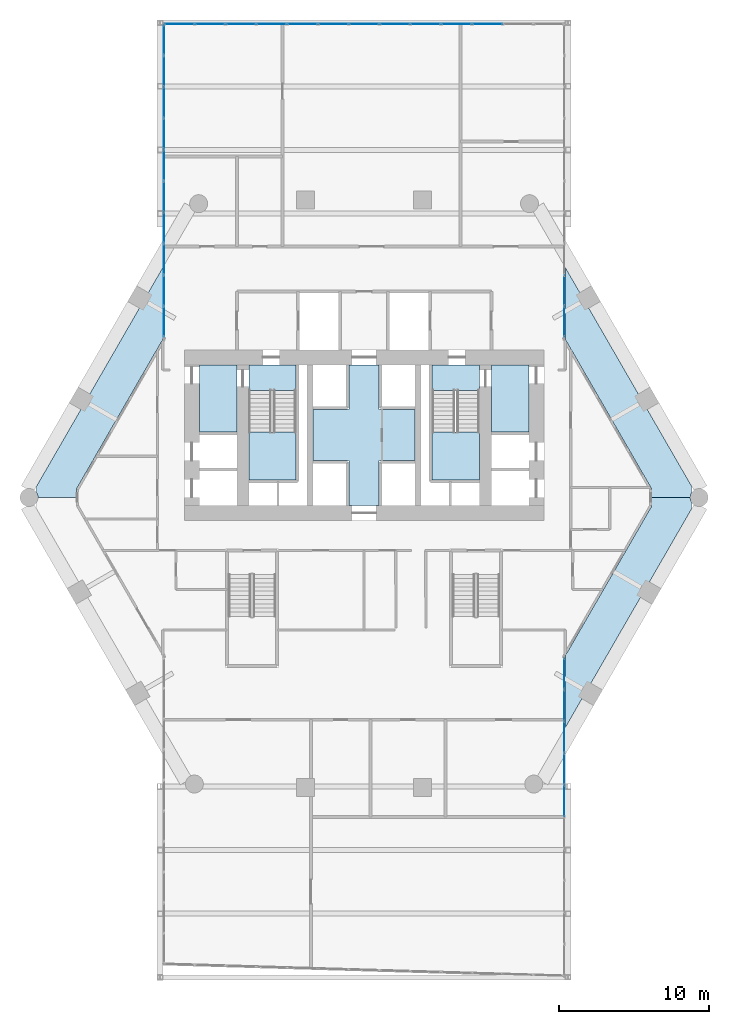
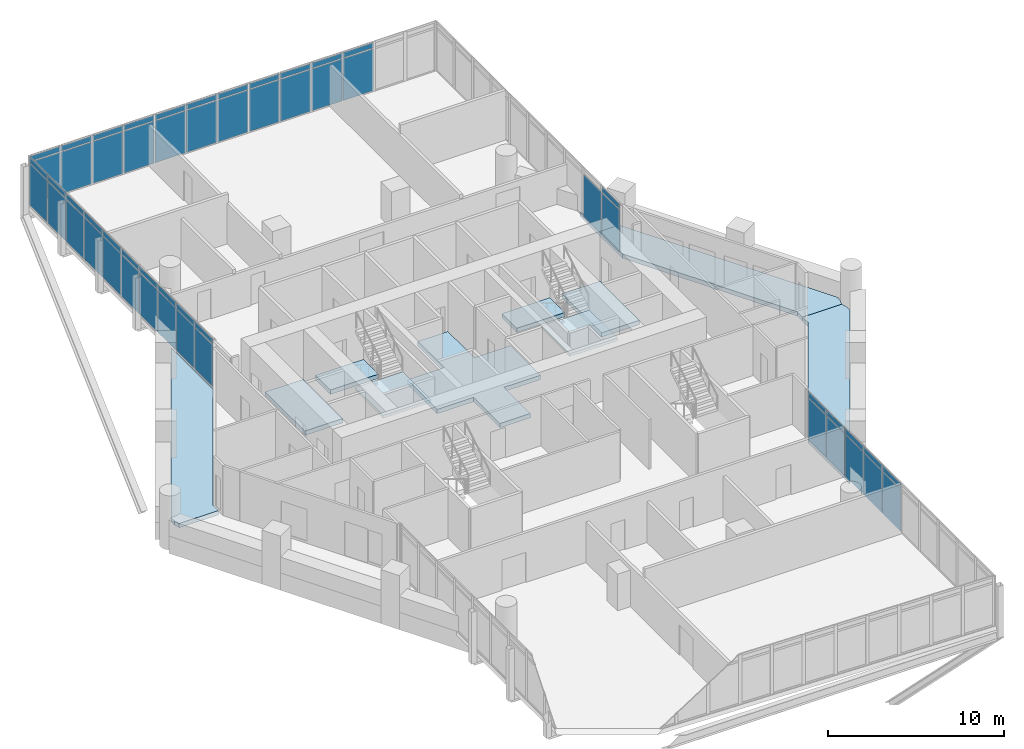
# One storey, part 28 of 37: 55 plates, 10 slabs, 6 elements without a shape of their own.
"""IFC4 building model written with IfcOpenShell, lengths in metres."""

from ifc_helpers import new_model, si_unit, direction, frame, origin, origin_2d, place, context, subcontext, project, spatial, polyline, rectangle, outline, extrude, material, layer, layer_set, type_object, element, aggregate, save


model = new_model("IFC4")

# Units and contexts
model_context = context("Model", 3, precision=1e-05, world=origin(), true_north=direction((0.0, 1.0)))
body_context = subcontext(model_context, "Body", "Model", "MODEL_VIEW")
ifc_project = project(units=[si_unit("LENGTHUNIT", "METRE"), si_unit("AREAUNIT", "SQUARE_METRE"), si_unit("VOLUMEUNIT", "CUBIC_METRE"), si_unit("PLANEANGLEUNIT", "RADIAN"), si_unit("MASSUNIT", "GRAM", prefix="KILO")], contexts=[model_context])

# Site, building, storey
site_placement = place(None, origin())
site = spatial("IfcSite", under=ifc_project, at=site_placement, CompositionType="ELEMENT")
building_placement = place(site_placement, origin())
building = spatial("IfcBuilding", under=site, at=building_placement, Name="Ostrander Bayou Hotel Tower", CompositionType="ELEMENT")
storey_placement = place(building_placement, frame((0.0, 0.0, 93.0)))
storey = spatial("IfcBuildingStorey", under=building, at=storey_placement, Name="L23", CompositionType="ELEMENT", Elevation=93.0)

# Curtain wall, plates
ifc_material_1 = material(Name="Aluminium and clear glass", Category="aluminium")
curtain_wall_type = type_object("IfcCurtainWallType", Name="CW-BAR glazed wall", PredefinedType="NOTDEFINED", material=ifc_material_1)
curtain_wall_1_placement = place(storey_placement, origin())
curtain_wall_1 = element("IfcCurtainWall", 1, at=curtain_wall_1_placement, inside=storey, type_object=curtain_wall_type, Name="CW-BAR L23:SB2S:W", PredefinedType="NOTDEFINED")
ifc_material_2 = material(Name="Clear laminated glass", Category="glass")
ifc_layer_1 = layer(ifc_material_2, 0.028076171875)
ifc_layer_set_1 = layer_set([ifc_layer_1], Name="CW-BR glazing panel 28 mm")
plate_type = type_object("IfcPlateType", Name="CW-BR glazing panel 28 mm", PredefinedType="CURTAIN_PANEL", material=ifc_layer_set_1)
plate_1_placement = place(storey_placement, frame((13.3671875, -11.9248046875, 0.06005859375), z_axis=(0.0, 0.0, 1.0), x_axis=(0.0, -1.0, 0.0)))
plate_1 = element("IfcPlate", 2, at=plate_1_placement, type_object=plate_type, Name="CW-BAR panel 1.1", PredefinedType="CURTAIN_PANEL", context=body_context, shape_type="SweptSolid", body=[
    extrude(rectangle(XDim=2.03515625, YDim=0.028076171875, at=origin_2d()), origin(), (0.0, 0.0, 1.0), 2.909912109375),
])
plate_2_placement = place(storey_placement, frame((13.3671875, -11.9248046875, 3.02978515625), z_axis=(0.0, 0.0, 1.0), x_axis=(0.0, -1.0, 0.0)))
plate_2 = element("IfcPlate", 3, at=plate_2_placement, type_object=plate_type, Name="CW-BAR panel 1.2", PredefinedType="CURTAIN_PANEL", context=body_context, shape_type="SweptSolid", body=[
    extrude(rectangle(XDim=2.03515625, YDim=0.028076171875, at=origin_2d()), origin(), (0.0, 0.0, 1.0), 0.360107421875),
])
plate_3_placement = place(storey_placement, frame((13.3671875, -14.034912109375, 0.06005859375), z_axis=(0.0, 0.0, 1.0), x_axis=(0.0, -1.0, 0.0)))
plate_3 = element("IfcPlate", 4, at=plate_3_placement, type_object=plate_type, Name="CW-BAR panel 2.1", PredefinedType="CURTAIN_PANEL", context=body_context, shape_type="SweptSolid", body=[
    extrude(rectangle(XDim=2.06494140625, YDim=0.028076171875, at=origin_2d()), origin(), (0.0, 0.0, 1.0), 2.909912109375),
])
plate_4_placement = place(storey_placement, frame((13.3671875, -14.034912109375, 3.02978515625), z_axis=(0.0, 0.0, 1.0), x_axis=(0.0, -1.0, 0.0)))
plate_4 = element("IfcPlate", 5, at=plate_4_placement, type_object=plate_type, Name="CW-BAR panel 2.2", PredefinedType="CURTAIN_PANEL", context=body_context, shape_type="SweptSolid", body=[
    extrude(rectangle(XDim=2.06494140625, YDim=0.028076171875, at=origin_2d()), origin(), (0.0, 0.0, 1.0), 0.360107421875),
])
plate_5_placement = place(storey_placement, frame((13.3671875, -16.159912109375, 0.06005859375), z_axis=(0.0, 0.0, 1.0), x_axis=(0.0, -1.0, 0.0)))
plate_5 = element("IfcPlate", 6, at=plate_5_placement, type_object=plate_type, Name="CW-BAR panel 3.1", PredefinedType="CURTAIN_PANEL", context=body_context, shape_type="SweptSolid", body=[
    extrude(rectangle(XDim=2.06494140625, YDim=0.028076171875, at=origin_2d()), origin(), (0.0, 0.0, 1.0), 2.909912109375),
])
plate_6_placement = place(storey_placement, frame((13.3671875, -16.159912109375, 3.02978515625), z_axis=(0.0, 0.0, 1.0), x_axis=(0.0, -1.0, 0.0)))
plate_6 = element("IfcPlate", 7, at=plate_6_placement, type_object=plate_type, Name="CW-BAR panel 3.2", PredefinedType="CURTAIN_PANEL", context=body_context, shape_type="SweptSolid", body=[
    extrude(rectangle(XDim=2.06494140625, YDim=0.028076171875, at=origin_2d()), origin(), (0.0, 0.0, 1.0), 0.360107421875),
])
plate_7_placement = place(storey_placement, frame((13.3671875, -18.284912109375, 0.06005859375), z_axis=(0.0, 0.0, 1.0), x_axis=(0.0, -1.0, 0.0)))
plate_7 = element("IfcPlate", 8, at=plate_7_placement, type_object=plate_type, Name="CW-BAR panel 4.1", PredefinedType="CURTAIN_PANEL", context=body_context, shape_type="SweptSolid", body=[
    extrude(rectangle(XDim=2.06494140625, YDim=0.028076171875, at=origin_2d()), origin(), (0.0, 0.0, 1.0), 2.909912109375),
])
plate_8_placement = place(storey_placement, frame((13.3671875, -18.284912109375, 3.02978515625), z_axis=(0.0, 0.0, 1.0), x_axis=(0.0, -1.0, 0.0)))
plate_8 = element("IfcPlate", 9, at=plate_8_placement, type_object=plate_type, Name="CW-BAR panel 4.2", PredefinedType="CURTAIN_PANEL", context=body_context, shape_type="SweptSolid", body=[
    extrude(rectangle(XDim=2.06494140625, YDim=0.028076171875, at=origin_2d()), origin(), (0.0, 0.0, 1.0), 0.360107421875),
])
plate_9_placement = place(storey_placement, frame((13.3671875, -20.409912109375, 0.06005859375), z_axis=(0.0, 0.0, 1.0), x_axis=(0.0, -1.0, 0.0)))
plate_9 = element("IfcPlate", 10, at=plate_9_placement, type_object=plate_type, Name="CW-BAR panel 5.1", PredefinedType="CURTAIN_PANEL", context=body_context, shape_type="SweptSolid", body=[
    extrude(rectangle(XDim=2.06494140625, YDim=0.028076171875, at=origin_2d()), origin(), (0.0, 0.0, 1.0), 2.909912109375),
])
plate_10_placement = place(storey_placement, frame((13.3671875, -20.409912109375, 3.02978515625), z_axis=(0.0, 0.0, 1.0), x_axis=(0.0, -1.0, 0.0)))
plate_10 = element("IfcPlate", 11, at=plate_10_placement, type_object=plate_type, Name="CW-BAR panel 5.2", PredefinedType="CURTAIN_PANEL", context=body_context, shape_type="SweptSolid", body=[
    extrude(rectangle(XDim=2.06494140625, YDim=0.028076171875, at=origin_2d()), origin(), (0.0, 0.0, 1.0), 0.360107421875),
])
aggregate(curtain_wall_1, [plate_1, plate_2, plate_3, plate_4, plate_5, plate_6, plate_7, plate_8, plate_9, plate_10])

curtain_wall_2_placement = place(storey_placement, origin())
curtain_wall_2 = element("IfcCurtainWall", 12, at=curtain_wall_2_placement, inside=storey, type_object=curtain_wall_type, Name="CW-BAR L23:SB2N:E", PredefinedType="NOTDEFINED")
plate_11_placement = place(storey_placement, frame((-13.3671875, 11.581298828125, 0.06005859375), z_axis=(0.0, 0.0, 1.0), x_axis=(0.0, 1.0, 0.0)))
plate_11 = element("IfcPlate", 13, at=plate_11_placement, type_object=plate_type, Name="CW-BAR panel 1.1", PredefinedType="CURTAIN_PANEL", context=body_context, shape_type="SweptSolid", body=[
    extrude(rectangle(XDim=2.00244140625, YDim=0.028076171875, at=origin_2d()), origin(), (0.0, 0.0, 1.0), 2.909912109375),
])
plate_12_placement = place(storey_placement, frame((-13.3671875, 11.581298828125, 3.02978515625), z_axis=(0.0, 0.0, 1.0), x_axis=(0.0, 1.0, 0.0)))
plate_12 = element("IfcPlate", 14, at=plate_12_placement, type_object=plate_type, Name="CW-BAR panel 1.2", PredefinedType="CURTAIN_PANEL", context=body_context, shape_type="SweptSolid", body=[
    extrude(rectangle(XDim=2.00244140625, YDim=0.028076171875, at=origin_2d()), origin(), (0.0, 0.0, 1.0), 0.360107421875),
])
plate_13_placement = place(storey_placement, frame((-13.3671875, 13.65869140625, 0.06005859375), z_axis=(0.0, 0.0, 1.0), x_axis=(0.0, 1.0, 0.0)))
plate_13 = element("IfcPlate", 15, at=plate_13_placement, type_object=plate_type, Name="CW-BAR panel 2.1", PredefinedType="CURTAIN_PANEL", context=body_context, shape_type="SweptSolid", body=[
    extrude(rectangle(XDim=2.032470703125, YDim=0.028076171875, at=origin_2d()), origin(), (0.0, 0.0, 1.0), 2.909912109375),
])
plate_14_placement = place(storey_placement, frame((-13.3671875, 13.65869140625, 3.02978515625), z_axis=(0.0, 0.0, 1.0), x_axis=(0.0, 1.0, 0.0)))
plate_14 = element("IfcPlate", 16, at=plate_14_placement, type_object=plate_type, Name="CW-BAR panel 2.2", PredefinedType="CURTAIN_PANEL", context=body_context, shape_type="SweptSolid", body=[
    extrude(rectangle(XDim=2.032470703125, YDim=0.028076171875, at=origin_2d()), origin(), (0.0, 0.0, 1.0), 0.360107421875),
])
plate_15_placement = place(storey_placement, frame((-13.3671875, 15.75146484375, 0.06005859375), z_axis=(0.0, 0.0, 1.0), x_axis=(0.0, 1.0, 0.0)))
plate_15 = element("IfcPlate", 17, at=plate_15_placement, type_object=plate_type, Name="CW-BAR panel 3.1", PredefinedType="CURTAIN_PANEL", context=body_context, shape_type="SweptSolid", body=[
    extrude(rectangle(XDim=2.032470703125, YDim=0.028076171875, at=origin_2d()), origin(), (0.0, 0.0, 1.0), 2.909912109375),
])
plate_16_placement = place(storey_placement, frame((-13.3671875, 15.75146484375, 3.02978515625), z_axis=(0.0, 0.0, 1.0), x_axis=(0.0, 1.0, 0.0)))
plate_16 = element("IfcPlate", 18, at=plate_16_placement, type_object=plate_type, Name="CW-BAR panel 3.2", PredefinedType="CURTAIN_PANEL", context=body_context, shape_type="SweptSolid", body=[
    extrude(rectangle(XDim=2.032470703125, YDim=0.028076171875, at=origin_2d()), origin(), (0.0, 0.0, 1.0), 0.360107421875),
])
plate_17_placement = place(storey_placement, frame((-13.3671875, 17.843994140625, 0.06005859375), z_axis=(0.0, 0.0, 1.0), x_axis=(0.0, 1.0, 0.0)))
plate_17 = element("IfcPlate", 19, at=plate_17_placement, type_object=plate_type, Name="CW-BAR panel 4.1", PredefinedType="CURTAIN_PANEL", context=body_context, shape_type="SweptSolid", body=[
    extrude(rectangle(XDim=2.032470703125, YDim=0.028076171875, at=origin_2d()), origin(), (0.0, 0.0, 1.0), 2.909912109375),
])
plate_18_placement = place(storey_placement, frame((-13.3671875, 17.843994140625, 3.02978515625), z_axis=(0.0, 0.0, 1.0), x_axis=(0.0, 1.0, 0.0)))
plate_18 = element("IfcPlate", 20, at=plate_18_placement, type_object=plate_type, Name="CW-BAR panel 4.2", PredefinedType="CURTAIN_PANEL", context=body_context, shape_type="SweptSolid", body=[
    extrude(rectangle(XDim=2.032470703125, YDim=0.028076171875, at=origin_2d()), origin(), (0.0, 0.0, 1.0), 0.360107421875),
])
plate_19_placement = place(storey_placement, frame((-13.3671875, 19.9365234375, 0.06005859375), z_axis=(0.0, 0.0, 1.0), x_axis=(0.0, 1.0, 0.0)))
plate_19 = element("IfcPlate", 21, at=plate_19_placement, type_object=plate_type, Name="CW-BAR panel 5.1", PredefinedType="CURTAIN_PANEL", context=body_context, shape_type="SweptSolid", body=[
    extrude(rectangle(XDim=2.032470703125, YDim=0.028076171875, at=origin_2d()), origin(), (0.0, 0.0, 1.0), 2.909912109375),
])
plate_20_placement = place(storey_placement, frame((-13.3671875, 19.9365234375, 3.02978515625), z_axis=(0.0, 0.0, 1.0), x_axis=(0.0, 1.0, 0.0)))
plate_20 = element("IfcPlate", 22, at=plate_20_placement, type_object=plate_type, Name="CW-BAR panel 5.2", PredefinedType="CURTAIN_PANEL", context=body_context, shape_type="SweptSolid", body=[
    extrude(rectangle(XDim=2.032470703125, YDim=0.028076171875, at=origin_2d()), origin(), (0.0, 0.0, 1.0), 0.360107421875),
])
plate_21_placement = place(storey_placement, frame((-13.3671875, 22.029052734375, 0.06005859375), z_axis=(0.0, 0.0, 1.0), x_axis=(0.0, 1.0, 0.0)))
plate_21 = element("IfcPlate", 23, at=plate_21_placement, type_object=plate_type, Name="CW-BAR panel 6.1", PredefinedType="CURTAIN_PANEL", context=body_context, shape_type="SweptSolid", body=[
    extrude(rectangle(XDim=2.032470703125, YDim=0.028076171875, at=origin_2d()), origin(), (0.0, 0.0, 1.0), 2.909912109375),
])
plate_22_placement = place(storey_placement, frame((-13.3671875, 22.029052734375, 3.02978515625), z_axis=(0.0, 0.0, 1.0), x_axis=(0.0, 1.0, 0.0)))
plate_22 = element("IfcPlate", 24, at=plate_22_placement, type_object=plate_type, Name="CW-BAR panel 6.2", PredefinedType="CURTAIN_PANEL", context=body_context, shape_type="SweptSolid", body=[
    extrude(rectangle(XDim=2.032470703125, YDim=0.028076171875, at=origin_2d()), origin(), (0.0, 0.0, 1.0), 0.360107421875),
])
plate_23_placement = place(storey_placement, frame((-13.3671875, 24.12158203125, 0.06005859375), z_axis=(0.0, 0.0, 1.0), x_axis=(0.0, 1.0, 0.0)))
plate_23 = element("IfcPlate", 25, at=plate_23_placement, type_object=plate_type, Name="CW-BAR panel 7.1", PredefinedType="CURTAIN_PANEL", context=body_context, shape_type="SweptSolid", body=[
    extrude(rectangle(XDim=2.032470703125, YDim=0.028076171875, at=origin_2d()), origin(), (0.0, 0.0, 1.0), 2.909912109375),
])
plate_24_placement = place(storey_placement, frame((-13.3671875, 24.12158203125, 3.02978515625), z_axis=(0.0, 0.0, 1.0), x_axis=(0.0, 1.0, 0.0)))
plate_24 = element("IfcPlate", 26, at=plate_24_placement, type_object=plate_type, Name="CW-BAR panel 7.2", PredefinedType="CURTAIN_PANEL", context=body_context, shape_type="SweptSolid", body=[
    extrude(rectangle(XDim=2.032470703125, YDim=0.028076171875, at=origin_2d()), origin(), (0.0, 0.0, 1.0), 0.360107421875),
])
plate_25_placement = place(storey_placement, frame((-13.3671875, 26.214111328125, 0.06005859375), z_axis=(0.0, 0.0, 1.0), x_axis=(0.0, 1.0, 0.0)))
plate_25 = element("IfcPlate", 27, at=plate_25_placement, type_object=plate_type, Name="CW-BAR panel 8.1", PredefinedType="CURTAIN_PANEL", context=body_context, shape_type="SweptSolid", body=[
    extrude(rectangle(XDim=2.032470703125, YDim=0.028076171875, at=origin_2d()), origin(), (0.0, 0.0, 1.0), 2.909912109375),
])
plate_26_placement = place(storey_placement, frame((-13.3671875, 26.214111328125, 3.02978515625), z_axis=(0.0, 0.0, 1.0), x_axis=(0.0, 1.0, 0.0)))
plate_26 = element("IfcPlate", 28, at=plate_26_placement, type_object=plate_type, Name="CW-BAR panel 8.2", PredefinedType="CURTAIN_PANEL", context=body_context, shape_type="SweptSolid", body=[
    extrude(rectangle(XDim=2.032470703125, YDim=0.028076171875, at=origin_2d()), origin(), (0.0, 0.0, 1.0), 0.360107421875),
])
plate_27_placement = place(storey_placement, frame((-13.3671875, 28.306640625, 0.06005859375), z_axis=(0.0, 0.0, 1.0), x_axis=(0.0, 1.0, 0.0)))
plate_27 = element("IfcPlate", 29, at=plate_27_placement, type_object=plate_type, Name="CW-BAR panel 9.1", PredefinedType="CURTAIN_PANEL", context=body_context, shape_type="SweptSolid", body=[
    extrude(rectangle(XDim=2.032470703125, YDim=0.028076171875, at=origin_2d()), origin(), (0.0, 0.0, 1.0), 2.909912109375),
])
plate_28_placement = place(storey_placement, frame((-13.3671875, 28.306640625, 3.02978515625), z_axis=(0.0, 0.0, 1.0), x_axis=(0.0, 1.0, 0.0)))
plate_28 = element("IfcPlate", 30, at=plate_28_placement, type_object=plate_type, Name="CW-BAR panel 9.2", PredefinedType="CURTAIN_PANEL", context=body_context, shape_type="SweptSolid", body=[
    extrude(rectangle(XDim=2.032470703125, YDim=0.028076171875, at=origin_2d()), origin(), (0.0, 0.0, 1.0), 0.360107421875),
])
plate_29_placement = place(storey_placement, frame((-13.3671875, 30.384033203125, 0.06005859375), z_axis=(0.0, 0.0, 1.0), x_axis=(0.0, 1.0, 0.0)))
plate_29 = element("IfcPlate", 31, at=plate_29_placement, type_object=plate_type, Name="CW-BAR panel 10.1", PredefinedType="CURTAIN_PANEL", context=body_context, shape_type="SweptSolid", body=[
    extrude(rectangle(XDim=2.00244140625, YDim=0.028076171875, at=origin_2d()), origin(), (0.0, 0.0, 1.0), 2.909912109375),
])
plate_30_placement = place(storey_placement, frame((-13.3671875, 30.384033203125, 3.02978515625), z_axis=(0.0, 0.0, 1.0), x_axis=(0.0, 1.0, 0.0)))
plate_30 = element("IfcPlate", 32, at=plate_30_placement, type_object=plate_type, Name="CW-BAR panel 10.2", PredefinedType="CURTAIN_PANEL", context=body_context, shape_type="SweptSolid", body=[
    extrude(rectangle(XDim=2.00244140625, YDim=0.028076171875, at=origin_2d()), origin(), (0.0, 0.0, 1.0), 0.360107421875),
])
aggregate(curtain_wall_2, [plate_11, plate_12, plate_13, plate_14, plate_15, plate_16, plate_17, plate_18, plate_19, plate_20, plate_21, plate_22, plate_23, plate_24, plate_25, plate_26, plate_27, plate_28, plate_29, plate_30])

curtain_wall_3_placement = place(storey_placement, origin())
curtain_wall_3 = element("IfcCurtainWall", 33, at=curtain_wall_3_placement, inside=storey, type_object=curtain_wall_type, Name="CW-BAR L23:SB2N:T", PredefinedType="NOTDEFINED")
plate_31_placement = place(storey_placement, frame((-12.323974609375, 31.4453125, 0.06005859375), z_axis=(0.0, 0.0, 1.0), x_axis=(1.0, 0.0, 0.0)))
plate_31 = element("IfcPlate", 34, at=plate_31_placement, type_object=plate_type, Name="CW-BAR panel 1.1", PredefinedType="CURTAIN_PANEL", context=body_context, shape_type="SweptSolid", body=[
    extrude(rectangle(XDim=1.966552734375, YDim=0.028076171875, at=origin_2d()), origin(), (0.0, 0.0, 1.0), 2.909912109375),
])
plate_32_placement = place(storey_placement, frame((-12.323974609375, 31.4453125, 3.02978515625), z_axis=(0.0, 0.0, 1.0), x_axis=(1.0, 0.0, 0.0)))
plate_32 = element("IfcPlate", 35, at=plate_32_placement, type_object=plate_type, Name="CW-BAR panel 1.2", PredefinedType="CURTAIN_PANEL", context=body_context, shape_type="SweptSolid", body=[
    extrude(rectangle(XDim=1.966552734375, YDim=0.028076171875, at=origin_2d()), origin(), (0.0, 0.0, 1.0), 0.360107421875),
])
plate_33_placement = place(storey_placement, frame((-10.282470703125, 31.4453125, 0.06005859375), z_axis=(0.0, 0.0, 1.0), x_axis=(1.0, 0.0, 0.0)))
plate_33 = element("IfcPlate", 36, at=plate_33_placement, type_object=plate_type, Name="CW-BAR panel 2.1", PredefinedType="CURTAIN_PANEL", context=body_context, shape_type="SweptSolid", body=[
    extrude(rectangle(XDim=1.99658203125, YDim=0.028076171875, at=origin_2d()), origin(), (0.0, 0.0, 1.0), 2.909912109375),
])
plate_34_placement = place(storey_placement, frame((-10.282470703125, 31.4453125, 3.02978515625), z_axis=(0.0, 0.0, 1.0), x_axis=(1.0, 0.0, 0.0)))
plate_34 = element("IfcPlate", 37, at=plate_34_placement, type_object=plate_type, Name="CW-BAR panel 2.2", PredefinedType="CURTAIN_PANEL", context=body_context, shape_type="SweptSolid", body=[
    extrude(rectangle(XDim=1.99658203125, YDim=0.028076171875, at=origin_2d()), origin(), (0.0, 0.0, 1.0), 0.360107421875),
])
plate_35_placement = place(storey_placement, frame((-8.22607421875, 31.4453125, 0.06005859375), z_axis=(0.0, 0.0, 1.0), x_axis=(1.0, 0.0, 0.0)))
plate_35 = element("IfcPlate", 38, at=plate_35_placement, type_object=plate_type, Name="CW-BAR panel 3.1", PredefinedType="CURTAIN_PANEL", context=body_context, shape_type="SweptSolid", body=[
    extrude(rectangle(XDim=1.99658203125, YDim=0.028076171875, at=origin_2d()), origin(), (0.0, 0.0, 1.0), 2.909912109375),
])
plate_36_placement = place(storey_placement, frame((-8.22607421875, 31.4453125, 3.02978515625), z_axis=(0.0, 0.0, 1.0), x_axis=(1.0, 0.0, 0.0)))
plate_36 = element("IfcPlate", 39, at=plate_36_placement, type_object=plate_type, Name="CW-BAR panel 3.2", PredefinedType="CURTAIN_PANEL", context=body_context, shape_type="SweptSolid", body=[
    extrude(rectangle(XDim=1.99658203125, YDim=0.028076171875, at=origin_2d()), origin(), (0.0, 0.0, 1.0), 0.360107421875),
])
plate_37_placement = place(storey_placement, frame((-6.16943359375, 31.4453125, 0.06005859375), z_axis=(0.0, 0.0, 1.0), x_axis=(1.0, 0.0, 0.0)))
plate_37 = element("IfcPlate", 40, at=plate_37_placement, type_object=plate_type, Name="CW-BAR panel 4.1", PredefinedType="CURTAIN_PANEL", context=body_context, shape_type="SweptSolid", body=[
    extrude(rectangle(XDim=1.99658203125, YDim=0.028076171875, at=origin_2d()), origin(), (0.0, 0.0, 1.0), 2.909912109375),
])
plate_38_placement = place(storey_placement, frame((-6.16943359375, 31.4453125, 3.02978515625), z_axis=(0.0, 0.0, 1.0), x_axis=(1.0, 0.0, 0.0)))
plate_38 = element("IfcPlate", 41, at=plate_38_placement, type_object=plate_type, Name="CW-BAR panel 4.2", PredefinedType="CURTAIN_PANEL", context=body_context, shape_type="SweptSolid", body=[
    extrude(rectangle(XDim=1.99658203125, YDim=0.028076171875, at=origin_2d()), origin(), (0.0, 0.0, 1.0), 0.360107421875),
])
plate_39_placement = place(storey_placement, frame((-4.113037109375, 31.4453125, 0.06005859375), z_axis=(0.0, 0.0, 1.0), x_axis=(1.0, 0.0, 0.0)))
plate_39 = element("IfcPlate", 42, at=plate_39_placement, type_object=plate_type, Name="CW-BAR panel 5.1", PredefinedType="CURTAIN_PANEL", context=body_context, shape_type="SweptSolid", body=[
    extrude(rectangle(XDim=1.99658203125, YDim=0.028076171875, at=origin_2d()), origin(), (0.0, 0.0, 1.0), 2.909912109375),
])
plate_40_placement = place(storey_placement, frame((-4.113037109375, 31.4453125, 3.02978515625), z_axis=(0.0, 0.0, 1.0), x_axis=(1.0, 0.0, 0.0)))
plate_40 = element("IfcPlate", 43, at=plate_40_placement, type_object=plate_type, Name="CW-BAR panel 5.2", PredefinedType="CURTAIN_PANEL", context=body_context, shape_type="SweptSolid", body=[
    extrude(rectangle(XDim=1.99658203125, YDim=0.028076171875, at=origin_2d()), origin(), (0.0, 0.0, 1.0), 0.360107421875),
])
plate_41_placement = place(storey_placement, frame((-2.056396484375, 31.4453125, 0.06005859375), z_axis=(0.0, 0.0, 1.0), x_axis=(1.0, 0.0, 0.0)))
plate_41 = element("IfcPlate", 44, at=plate_41_placement, type_object=plate_type, Name="CW-BAR panel 6.1", PredefinedType="CURTAIN_PANEL", context=body_context, shape_type="SweptSolid", body=[
    extrude(rectangle(XDim=1.99658203125, YDim=0.028076171875, at=origin_2d()), origin(), (0.0, 0.0, 1.0), 2.909912109375),
])
plate_42_placement = place(storey_placement, frame((-2.056396484375, 31.4453125, 3.02978515625), z_axis=(0.0, 0.0, 1.0), x_axis=(1.0, 0.0, 0.0)))
plate_42 = element("IfcPlate", 45, at=plate_42_placement, type_object=plate_type, Name="CW-BAR panel 6.2", PredefinedType="CURTAIN_PANEL", context=body_context, shape_type="SweptSolid", body=[
    extrude(rectangle(XDim=1.99658203125, YDim=0.028076171875, at=origin_2d()), origin(), (0.0, 0.0, 1.0), 0.360107421875),
])
plate_43_placement = place(storey_placement, frame((0.0, 31.4453125, 0.06005859375), z_axis=(0.0, 0.0, 1.0), x_axis=(1.0, 0.0, 0.0)))
plate_43 = element("IfcPlate", 46, at=plate_43_placement, type_object=plate_type, Name="CW-BAR panel 7.1", PredefinedType="CURTAIN_PANEL", context=body_context, shape_type="SweptSolid", body=[
    extrude(rectangle(XDim=1.99658203125, YDim=0.028076171875, at=origin_2d()), origin(), (0.0, 0.0, 1.0), 2.909912109375),
])
plate_44_placement = place(storey_placement, frame((0.0, 31.4453125, 3.02978515625), z_axis=(0.0, 0.0, 1.0), x_axis=(1.0, 0.0, 0.0)))
plate_44 = element("IfcPlate", 47, at=plate_44_placement, type_object=plate_type, Name="CW-BAR panel 7.2", PredefinedType="CURTAIN_PANEL", context=body_context, shape_type="SweptSolid", body=[
    extrude(rectangle(XDim=1.99658203125, YDim=0.028076171875, at=origin_2d()), origin(), (0.0, 0.0, 1.0), 0.360107421875),
])
plate_45_placement = place(storey_placement, frame((2.056396484375, 31.4453125, 0.06005859375), z_axis=(0.0, 0.0, 1.0), x_axis=(1.0, 0.0, 0.0)))
plate_45 = element("IfcPlate", 48, at=plate_45_placement, type_object=plate_type, Name="CW-BAR panel 8.1", PredefinedType="CURTAIN_PANEL", context=body_context, shape_type="SweptSolid", body=[
    extrude(rectangle(XDim=1.99658203125, YDim=0.028076171875, at=origin_2d()), origin(), (0.0, 0.0, 1.0), 2.909912109375),
])
plate_46_placement = place(storey_placement, frame((2.056396484375, 31.4453125, 3.02978515625), z_axis=(0.0, 0.0, 1.0), x_axis=(1.0, 0.0, 0.0)))
plate_46 = element("IfcPlate", 49, at=plate_46_placement, type_object=plate_type, Name="CW-BAR panel 8.2", PredefinedType="CURTAIN_PANEL", context=body_context, shape_type="SweptSolid", body=[
    extrude(rectangle(XDim=1.99658203125, YDim=0.028076171875, at=origin_2d()), origin(), (0.0, 0.0, 1.0), 0.360107421875),
])
plate_47_placement = place(storey_placement, frame((4.113037109375, 31.4453125, 0.06005859375), z_axis=(0.0, 0.0, 1.0), x_axis=(1.0, 0.0, 0.0)))
plate_47 = element("IfcPlate", 50, at=plate_47_placement, type_object=plate_type, Name="CW-BAR panel 9.1", PredefinedType="CURTAIN_PANEL", context=body_context, shape_type="SweptSolid", body=[
    extrude(rectangle(XDim=1.99658203125, YDim=0.028076171875, at=origin_2d()), origin(), (0.0, 0.0, 1.0), 2.909912109375),
])
plate_48_placement = place(storey_placement, frame((4.113037109375, 31.4453125, 3.02978515625), z_axis=(0.0, 0.0, 1.0), x_axis=(1.0, 0.0, 0.0)))
plate_48 = element("IfcPlate", 51, at=plate_48_placement, type_object=plate_type, Name="CW-BAR panel 9.2", PredefinedType="CURTAIN_PANEL", context=body_context, shape_type="SweptSolid", body=[
    extrude(rectangle(XDim=1.99658203125, YDim=0.028076171875, at=origin_2d()), origin(), (0.0, 0.0, 1.0), 0.360107421875),
])
plate_49_placement = place(storey_placement, frame((6.16943359375, 31.4453125, 0.06005859375), z_axis=(0.0, 0.0, 1.0), x_axis=(1.0, 0.0, 0.0)))
plate_49 = element("IfcPlate", 52, at=plate_49_placement, type_object=plate_type, Name="CW-BAR panel 10.1", PredefinedType="CURTAIN_PANEL", context=body_context, shape_type="SweptSolid", body=[
    extrude(rectangle(XDim=1.99658203125, YDim=0.028076171875, at=origin_2d()), origin(), (0.0, 0.0, 1.0), 2.909912109375),
])
plate_50_placement = place(storey_placement, frame((6.16943359375, 31.4453125, 3.02978515625), z_axis=(0.0, 0.0, 1.0), x_axis=(1.0, 0.0, 0.0)))
plate_50 = element("IfcPlate", 53, at=plate_50_placement, type_object=plate_type, Name="CW-BAR panel 10.2", PredefinedType="CURTAIN_PANEL", context=body_context, shape_type="SweptSolid", body=[
    extrude(rectangle(XDim=1.99658203125, YDim=0.028076171875, at=origin_2d()), origin(), (0.0, 0.0, 1.0), 0.360107421875),
])
plate_51_placement = place(storey_placement, frame((8.22607421875, 31.4453125, 0.06005859375), z_axis=(0.0, 0.0, 1.0), x_axis=(1.0, 0.0, 0.0)))
plate_51 = element("IfcPlate", 54, at=plate_51_placement, type_object=plate_type, Name="CW-BAR panel 11.1", PredefinedType="CURTAIN_PANEL", context=body_context, shape_type="SweptSolid", body=[
    extrude(rectangle(XDim=1.99658203125, YDim=0.028076171875, at=origin_2d()), origin(), (0.0, 0.0, 1.0), 2.909912109375),
])
plate_52_placement = place(storey_placement, frame((8.22607421875, 31.4453125, 3.02978515625), z_axis=(0.0, 0.0, 1.0), x_axis=(1.0, 0.0, 0.0)))
plate_52 = element("IfcPlate", 55, at=plate_52_placement, type_object=plate_type, Name="CW-BAR panel 11.2", PredefinedType="CURTAIN_PANEL", context=body_context, shape_type="SweptSolid", body=[
    extrude(rectangle(XDim=1.99658203125, YDim=0.028076171875, at=origin_2d()), origin(), (0.0, 0.0, 1.0), 0.360107421875),
])
aggregate(curtain_wall_3, [plate_31, plate_32, plate_33, plate_34, plate_35, plate_36, plate_37, plate_38, plate_39, plate_40, plate_41, plate_42, plate_43, plate_44, plate_45, plate_46, plate_47, plate_48, plate_49, plate_50, plate_51, plate_52])

curtain_wall_4_placement = place(storey_placement, origin())
curtain_wall_4 = element("IfcCurtainWall", 56, at=curtain_wall_4_placement, inside=storey, type_object=curtain_wall_type, Name="CW-BAR L23:SB2N:W", PredefinedType="NOTDEFINED")
plate_53_placement = place(storey_placement, frame((13.3671875, 11.581298828125, 0.06005859375), z_axis=(0.0, 0.0, 1.0), x_axis=(0.0, 1.0, 0.0)))
plate_53 = element("IfcPlate", 57, at=plate_53_placement, type_object=plate_type, Name="CW-BAR panel 1.1", PredefinedType="CURTAIN_PANEL", context=body_context, shape_type="SweptSolid", body=[
    extrude(rectangle(XDim=2.00244140625, YDim=0.028076171875, at=origin_2d()), origin(), (0.0, 0.0, 1.0), 2.909912109375),
])
plate_54_placement = place(storey_placement, frame((13.3671875, 11.581298828125, 3.02978515625), z_axis=(0.0, 0.0, 1.0), x_axis=(0.0, 1.0, 0.0)))
plate_54 = element("IfcPlate", 58, at=plate_54_placement, type_object=plate_type, Name="CW-BAR panel 1.2", PredefinedType="CURTAIN_PANEL", context=body_context, shape_type="SweptSolid", body=[
    extrude(rectangle(XDim=2.00244140625, YDim=0.028076171875, at=origin_2d()), origin(), (0.0, 0.0, 1.0), 0.360107421875),
])
plate_55_placement = place(storey_placement, frame((13.3671875, 13.65869140625, 0.06005859375), z_axis=(0.0, 0.0, 1.0), x_axis=(0.0, 1.0, 0.0)))
plate_55 = element("IfcPlate", 59, at=plate_55_placement, type_object=plate_type, Name="CW-BAR panel 2.1", PredefinedType="CURTAIN_PANEL", context=body_context, shape_type="SweptSolid", body=[
    extrude(rectangle(XDim=2.032470703125, YDim=0.028076171875, at=origin_2d()), origin(), (0.0, 0.0, 1.0), 2.909912109375),
])
aggregate(curtain_wall_4, [plate_53, plate_54, plate_55])

# Slabs
ifc_material_3 = material(Name="Concrete f'c 40 MPa", Category="concrete")
ifc_layer_2 = layer(ifc_material_3, 0.300048828125)
ifc_layer_set_2 = layer_set([ifc_layer_2], Name="SL1 floor slab 300 mm f'c 40 MPa")
slab_type_1 = type_object("IfcSlabType", Name="SL1 floor slab 300 mm f'c 40 MPa", PredefinedType="FLOOR", material=ifc_layer_set_2)
slab_1_placement = place(storey_placement, frame((0.0, 0.0, -0.300048828125)))
element("IfcSlab", 60, at=slab_1_placement, inside=storey, type_object=slab_type_1, Name="cslab:L23:001", PredefinedType="FLOOR", context=body_context, shape_type="SweptSolid", body=[
    extrude(outline(polyline([(-3.39990234375, 5.699951171875), (-1.0, 5.699951171875), (-1.0, 8.699951171875), (1.0, 8.699951171875), (1.0, 5.699951171875), (3.39990234375, 5.699951171875), (3.39990234375, 2.300048828125), (1.0, 2.300048828125), (1.0, -0.699951171875), (-1.0, -0.699951171875), (-1.0, 2.300048828125), (-3.39990234375, 2.300048828125), (-3.39990234375, 5.699951171875)])), origin(), (0.0, 0.0, 1.0), 0.300048828125),
])
slab_2_placement = place(storey_placement, frame((0.0, 0.0, -0.300048828125)))
element("IfcSlab", 61, at=slab_2_placement, inside=storey, type_object=slab_type_1, Name="cslab:L23:002", PredefinedType="FLOOR", context=body_context, shape_type="SweptSolid", body=[
    extrude(outline(polyline([(-8.5, 4.199951171875), (-8.5, 8.699951171875), (-11.0, 8.699951171875), (-11.0, 4.199951171875), (-8.5, 4.199951171875)])), origin(), (0.0, 0.0, 1.0), 0.300048828125),
])
slab_3_placement = place(storey_placement, frame((0.0, 0.0, -0.300048828125)))
element("IfcSlab", 62, at=slab_3_placement, inside=storey, type_object=slab_type_1, Name="cslab:L23:003", PredefinedType="FLOOR", context=body_context, shape_type="SweptSolid", body=[
    extrude(outline(polyline([(11.0, 4.199951171875), (11.0, 8.699951171875), (8.5, 8.699951171875), (8.5, 4.199951171875), (11.0, 4.199951171875)])), origin(), (0.0, 0.0, 1.0), 0.300048828125),
])
slab_4_placement = place(storey_placement, frame((0.0, 0.0, -0.300048828125)))
element("IfcSlab", 63, at=slab_4_placement, inside=storey, type_object=slab_type_1, Name="cslab:L23:004", PredefinedType="FLOOR", context=body_context, shape_type="SweptSolid", body=[
    extrude(outline(polyline([(-4.550048828125, 7.0), (-4.550048828125, 8.699951171875), (-7.699951171875, 8.699951171875), (-7.699951171875, 7.0), (-4.550048828125, 7.0)])), origin(), (0.0, 0.0, 1.0), 0.300048828125),
])
slab_5_placement = place(storey_placement, frame((0.0, 0.0, -0.300048828125)))
element("IfcSlab", 64, at=slab_5_placement, inside=storey, type_object=slab_type_1, Name="cslab:L23:005", PredefinedType="FLOOR", context=body_context, shape_type="SweptSolid", body=[
    extrude(outline(polyline([(7.699951171875, 7.0), (7.699951171875, 8.699951171875), (4.550048828125, 8.699951171875), (4.550048828125, 7.0), (7.699951171875, 7.0)])), origin(), (0.0, 0.0, 1.0), 0.300048828125),
])
ifc_material_4 = material(Name="Concrete f'c 40 MPa", Category="concrete")
ifc_layer_3 = layer(ifc_material_4, 0.300048828125)
ifc_layer_set_3 = layer_set([ifc_layer_3], Name="SL4 loggia slab 300 mm f'c 40 MPa")
slab_type_2 = type_object("IfcSlabType", Name="SL4 loggia slab 300 mm f'c 40 MPa", PredefinedType="FLOOR", material=ifc_layer_set_3)
slab_6_placement = place(storey_placement, frame((0.0, 0.0, -0.300048828125)))
element("IfcSlab", 65, at=slab_6_placement, inside=storey, type_object=slab_type_2, Name="SL4 LOGGIA L23 NW 1", PredefinedType="FLOOR", context=body_context, shape_type="SweptSolid", body=[
    extrude(outline(polyline([(-19.18896484375, -0.163818359375), (-21.774658203125, -0.163818359375), (-21.7861328125, -0.046630859375), (-21.8203125, 0.06591796875), (-21.873779296875, 0.165771484375), (-21.873779296875, 0.586181640625), (-13.442138671875, 15.190185546875), (-13.442138671875, 10.39013671875), (-19.18896484375, 0.436279296875), (-19.18896484375, -0.163818359375)])), origin(), (0.0, 0.0, 1.0), 0.300048828125),
])
slab_7_placement = place(storey_placement, frame((0.0, 0.0, -0.300048828125)))
element("IfcSlab", 66, at=slab_7_placement, inside=storey, type_object=slab_type_2, Name="SL4 LOGGIA L23 SE 1", PredefinedType="FLOOR", context=body_context, shape_type="SweptSolid", body=[
    extrude(outline(polyline([(15.132568359375, -12.589599609375), (14.5625, -13.576904296875), (13.442138671875, -15.517333984375), (13.442138671875, -10.71728515625), (19.18896484375, -0.763671875), (19.18896484375, -0.163818359375), (21.774658203125, -0.163818359375), (21.7861328125, -0.28076171875), (21.8203125, -0.393310546875), (21.873779296875, -0.4931640625), (21.873779296875, -0.913818359375), (19.039306640625, -5.822998046875), (18.46923828125, -6.810302734375), (15.132568359375, -12.589599609375)])), origin(), (0.0, 0.0, 1.0), 0.300048828125),
])
slab_8_placement = place(storey_placement, frame((0.0, 0.0, -0.300048828125)))
element("IfcSlab", 67, at=slab_8_placement, inside=storey, type_object=slab_type_2, Name="SL4 LOGGIA L23 NE 1", PredefinedType="FLOOR", context=body_context, shape_type="SweptSolid", body=[
    extrude(outline(polyline([(13.442138671875, 15.190185546875), (19.9150390625, 3.978759765625), (21.831298828125, 0.659912109375), (21.873779296875, 0.586181640625), (21.873779296875, 0.165771484375), (21.8203125, 0.06591796875), (21.7861328125, -0.046630859375), (21.774658203125, -0.163818359375), (19.18896484375, -0.163818359375), (19.18896484375, 0.436279296875), (13.442138671875, 10.39013671875), (13.442138671875, 15.190185546875)])), origin(), (0.0, 0.0, 1.0), 0.300048828125),
])

# Stair, slab
ifc_material_5 = material(Name="Concrete f'c 45 MPa", Category="concrete")
stair_type = type_object("IfcStairType", Name="ST1 exit stair 1500 mm f'c 45 MPa", PredefinedType="HALF_TURN_STAIR", material=ifc_material_5)
stair_1_placement = place(storey_placement, origin())
stair_1 = element("IfcStair", 68, at=stair_1_placement, inside=storey, type_object=stair_type, Name="L23 exit stair A", PredefinedType="HALF_TURN_STAIR")
ifc_material_6 = material(Name="Concrete f'c 45 MPa", Category="concrete")
ifc_layer_4 = layer(ifc_material_6, 0.199951171875)
ifc_layer_set_4 = layer_set([ifc_layer_4], Name="SL8 stair landing 200 mm f'c 45 MPa")
slab_type_3 = type_object("IfcSlabType", Name="SL8 stair landing 200 mm f'c 45 MPa", PredefinedType="LANDING", material=ifc_layer_set_4)
slab_9_placement = place(storey_placement, frame((0.0, 0.0, 1.675048828125)))
slab_9 = element("IfcSlab", 69, at=slab_9_placement, type_object=slab_type_3, Name="STA landing 1", PredefinedType="LANDING", context=body_context, shape_type="SweptSolid", body=[
    extrude(outline(polyline([(-7.699951171875, 4.199951171875), (-7.699951171875, 1.0), (-4.550048828125, 1.0), (-4.550048828125, 4.199951171875), (-7.699951171875, 4.199951171875)])), origin(), (0.0, 0.0, 1.0), 0.199951171875),
])
aggregate(stair_1, [slab_9])

stair_2_placement = place(storey_placement, origin())
stair_2 = element("IfcStair", 70, at=stair_2_placement, inside=storey, type_object=stair_type, Name="L23 exit stair B", PredefinedType="HALF_TURN_STAIR")
slab_10_placement = place(storey_placement, frame((0.0, 0.0, 1.675048828125)))
slab_10 = element("IfcSlab", 71, at=slab_10_placement, type_object=slab_type_3, Name="STB landing 1", PredefinedType="LANDING", context=body_context, shape_type="SweptSolid", body=[
    extrude(outline(polyline([(4.550048828125, 4.199951171875), (4.550048828125, 1.0), (7.699951171875, 1.0), (7.699951171875, 4.199951171875), (4.550048828125, 4.199951171875)])), origin(), (0.0, 0.0, 1.0), 0.199951171875),
])
aggregate(stair_2, [slab_10])

save(model, "model.ifc")
